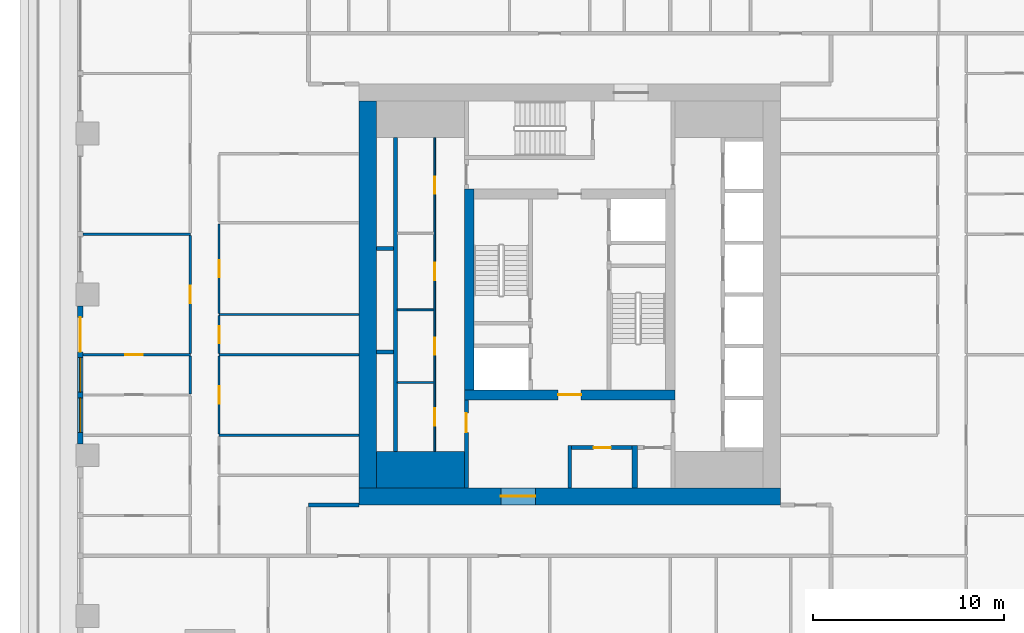
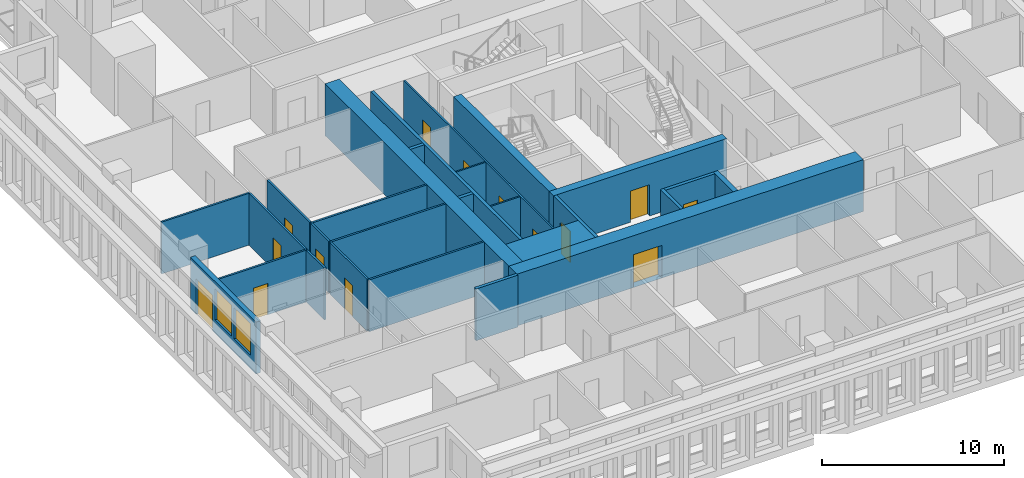
# One storey, part 3 of 15: 27 walls, 14 doors, 2 windows, 16 openings.
"""IFC4 building model written with IfcOpenShell, lengths in metres."""

from ifc_helpers import new_model, si_unit, direction, frame, frame_2d, origin, place, context, subcontext, project, spatial, rectangle, extrude, material, layer, layer_set, type_object, element, fill, save


model = new_model("IFC4")

# Units and contexts
model_context = context("Model", 3, precision=1e-05, world=origin(), true_north=direction((0.0, 1.0)))
body_context = subcontext(model_context, "Body", "Model", "MODEL_VIEW")
ifc_project = project(units=[si_unit("LENGTHUNIT", "METRE"), si_unit("AREAUNIT", "SQUARE_METRE"), si_unit("VOLUMEUNIT", "CUBIC_METRE"), si_unit("PLANEANGLEUNIT", "RADIAN"), si_unit("MASSUNIT", "GRAM", prefix="KILO")], contexts=[model_context])

# Site, building, storey
site_placement = place(None, origin())
site = spatial("IfcSite", under=ifc_project, at=site_placement, CompositionType="ELEMENT")
building_placement = place(site_placement, origin())
building = spatial("IfcBuilding", under=site, at=building_placement, Name="Khepri Terraces", CompositionType="ELEMENT")
storey_placement = place(building_placement, frame((0.0, 0.0, 165.0)))
storey = spatial("IfcBuildingStorey", under=building, at=storey_placement, Name="L39", CompositionType="ELEMENT", Elevation=165.0)

# Walls
ifc_material_1 = material(Name="Concrete C60/75", Category="concrete")
ifc_layer_1 = layer(ifc_material_1, 1.89990234375, Name="Concrete C60/75", Category="concrete")
ifc_layer_set_1 = layer_set([ifc_layer_1], Name="Concrete C60/75")
wall_type_1 = type_object("IfcWallType", Name="Core wall 1900 C60/75", PredefinedType="SHEAR", material=ifc_layer_set_1)
wall_1_placement = place(storey_placement, frame((-10.10009765625, -9.14990234375, 0.0), z_axis=(0.0, 0.0, 1.0), x_axis=(1.0, 0.0, 0.0)))
element("IfcWall", 1, at=wall_1_placement, inside=storey, type_object=wall_type_1, Name="Core wall PR01 L39", PredefinedType="SHEAR", context=body_context, shape_type="SweptSolid", body=[
    extrude(rectangle(XDim=4.60009765625, YDim=1.89990234375, at=frame_2d((2.300048828125, 0.0))), origin(), (0.0, 0.0, 1.0), 3.47998046875),
])
ifc_layer_2 = layer(ifc_material_1, 0.199951171875, Name="Concrete C60/75", Category="concrete")
ifc_layer_set_2 = layer_set([ifc_layer_2], Name="Concrete C60/75")
wall_type_2 = type_object("IfcWallType", Name="Core wall 200 C60/75", PredefinedType="SHEAR", material=ifc_layer_set_2)
wall_2_placement = place(storey_placement, frame((-9.10009765625, -8.199951171875, 0.0), z_axis=(0.0, 0.0, 1.0), x_axis=(0.0, 1.0, 0.0)))
element("IfcWall", 2, at=wall_2_placement, inside=storey, type_object=wall_type_2, Name="Core wall SH01 L39", PredefinedType="SHEAR", context=body_context, shape_type="SweptSolid", body=[
    extrude(rectangle(XDim=16.39990234375, YDim=0.199951171875, at=frame_2d((8.199951171875, 0.0))), origin(), (0.0, 0.0, 1.0), 3.47998046875),
])
for number, where, z_axis, x_axis, name in (
    (3, (-10.10009765625, -3.0, 0.0), (0.0, 0.0, 1.0), (1.0, 0.0, 0.0), "Core wall SH06 L39"),
    (4, (-10.10009765625, 2.39990234375, 0.0), (0.0, 0.0, 1.0), (1.0, 0.0, 0.0), "Core wall SH11 L39"),
):
    element("IfcWall", number, at=place(storey_placement, frame(where, z_axis=z_axis, x_axis=x_axis)), inside=storey, type_object=wall_type_2, Name=name, PredefinedType="SHEAR", context=body_context, shape_type="SweptSolid", body=[
        extrude(rectangle(XDim=0.900146484375, YDim=0.199951171875, at=frame_2d((0.4501953125, 0.0))), origin(), (0.0, 0.0, 1.0), 3.47998046875),
    ])

# Wall, opening, door
ifc_layer_3 = layer(ifc_material_1, 0.5, Name="Concrete C60/75", Category="concrete")
ifc_layer_set_3 = layer_set([ifc_layer_3], Name="Concrete C60/75")
wall_type_3 = type_object("IfcWallType", Name="Core wall 500 C60/75", PredefinedType="SHEAR", material=ifc_layer_set_3)
wall_3_placement = place(storey_placement, frame((-5.5, -5.25, 0.0), z_axis=(0.0, 0.0, 1.0), x_axis=(1.0, 0.0, 0.0)))
wall_3 = element("IfcWall", 5, at=wall_3_placement, inside=storey, type_object=wall_type_3, Name="Core wall BX01 L39", PredefinedType="SHEAR", context=body_context, shape_type="SweptSolid", body=[
    extrude(rectangle(XDim=11.0, YDim=0.5, at=frame_2d((5.5, 0.0))), origin(), (0.0, 0.0, 1.0), 3.47998046875),
])
opening_1_placement = place(wall_3_placement, frame((4.89990234375, 0.0, 0.0)))
opening_1 = element("IfcOpeningElement", 6, at=opening_1_placement, cuts=wall_3, Name="Opening L39-C14", PredefinedType="OPENING", context=body_context, shape_type="SweptSolid", body=[
    extrude(rectangle(XDim=1.199951171875, YDim=2.10009765625, at=frame_2d((0.60009765625, 1.050048828125))), frame((0.0, 0.260009765625, 0.0), z_axis=(0.0, -1.0, 0.0), x_axis=(1.0, 0.0, 0.0)), (0.0, 0.0, 1.0), 0.52001953125),
])
ifc_material_2 = material(Name="Painted steel", Category="steel")
door_type_1 = type_object("IfcDoorType", Name="DR-CORE-FF-LOBBY-1200", OperationType="NOTDEFINED", PredefinedType="DOOR", material=ifc_material_2)
door_1_placement = place(opening_1_placement, origin())
door_1 = element("IfcDoor", 7, at=door_1_placement, inside=storey, type_object=door_type_1, Name="Firefighting lobby door L39-C14", OperationType="SINGLE_SWING_RIGHT", OverallHeight=2.10009765625, OverallWidth=1.199951171875, PredefinedType="DOOR", context=body_context, shape_type="SweptSolid", body=[
    extrude(rectangle(XDim=1.199951171875, YDim=2.10009765625, at=frame_2d((0.60009765625, 1.050048828125))), frame((0.0, 0.02490234375, 0.0), z_axis=(0.0, -1.0, 0.0), x_axis=(1.0, 0.0, 0.0)), (0.0, 0.0, 1.0), 0.050048828125),
])
fill(opening_1, door_1)

# Wall
wall_4_placement = place(storey_placement, frame((-5.25, -5.0, 0.0), z_axis=(0.0, 0.0, 1.0), x_axis=(0.0, 1.0, 0.0)))
element("IfcWall", 8, at=wall_4_placement, inside=storey, type_object=wall_type_3, Name="Core wall BX02 L39", PredefinedType="SHEAR", context=body_context, shape_type="SweptSolid", body=[
    extrude(rectangle(XDim=10.5, YDim=0.5, at=frame_2d((5.25, 0.0))), origin(), (0.0, 0.0, 1.0), 3.47998046875),
])

# Wall, opening, door
ifc_layer_4 = layer(ifc_material_1, 0.89990234375, Name="Concrete C60/75", Category="concrete")
ifc_layer_set_4 = layer_set([ifc_layer_4], Name="Concrete C60/75")
wall_type_4 = type_object("IfcWallType", Name="Core wall 900 C60/75", PredefinedType="SHEAR", material=ifc_layer_set_4)
wall_5_placement = place(storey_placement, frame((-11.0, -10.550048828125, 0.0), z_axis=(0.0, 0.0, 1.0), x_axis=(1.0, 0.0, 0.0)))
wall_5 = element("IfcWall", 9, at=wall_5_placement, inside=storey, type_object=wall_type_4, Name="Core wall OW-S L39", PredefinedType="SHEAR", context=body_context, shape_type="SweptSolid", body=[
    extrude(rectangle(XDim=22.0, YDim=0.89990234375, at=frame_2d((11.0, 0.0))), origin(), (0.0, 0.0, 1.0), 3.47998046875),
])
opening_2_placement = place(wall_5_placement, frame((7.39990234375, 0.0, 0.0)))
opening_2 = element("IfcOpeningElement", 10, at=opening_2_placement, cuts=wall_5, Name="Opening L39-C21", PredefinedType="OPENING", context=body_context, shape_type="SweptSolid", body=[
    extrude(rectangle(XDim=1.800048828125, YDim=2.199951171875, at=frame_2d((0.89990234375, 1.10009765625))), frame((0.0, 0.4599609375, 0.0), z_axis=(0.0, -1.0, 0.0), x_axis=(1.0, 0.0, 0.0)), (0.0, 0.0, 1.0), 0.919921875),
])
door_type_2 = type_object("IfcDoorType", Name="DR-CORE-ENTRANCE-1800", OperationType="NOTDEFINED", PredefinedType="DOOR", material=ifc_material_2)
door_2_placement = place(opening_2_placement, frame((1.800048828125, 0.0, 0.0), z_axis=(0.0, 0.0, 1.0), x_axis=(-1.0, 0.0, 0.0)))
door_2 = element("IfcDoor", 11, at=door_2_placement, inside=storey, type_object=door_type_2, Name="Core entrance door pair L39-C21", OperationType="DOUBLE_DOOR_SINGLE_SWING", OverallHeight=2.199951171875, OverallWidth=1.800048828125, PredefinedType="DOOR", context=body_context, shape_type="SweptSolid", body=[
    extrude(rectangle(XDim=1.800048828125, YDim=2.199951171875, at=frame_2d((0.89990234375, 1.10009765625))), frame((0.0, 0.02490234375, 0.0), z_axis=(0.0, -1.0, 0.0), x_axis=(1.0, 0.0, 0.0)), (0.0, 0.0, 1.0), 0.050048828125),
])
fill(opening_2, door_2)

# Wall
wall_6_placement = place(storey_placement, frame((-10.550048828125, -10.10009765625, 0.0), z_axis=(0.0, 0.0, 1.0), x_axis=(0.0, 1.0, 0.0)))
element("IfcWall", 12, at=wall_6_placement, inside=storey, type_object=wall_type_4, Name="Core wall OW-W L39", PredefinedType="SHEAR", context=body_context, shape_type="SweptSolid", body=[
    extrude(rectangle(XDim=20.2001953125, YDim=0.89990234375, at=frame_2d((10.10009765625, 0.0))), origin(), (0.0, 0.0, 1.0), 3.47998046875),
])

# Wall, openings, doors
ifc_material_3 = material(Name="Fire-rated gypsum board partition")
ifc_layer_5 = layer(ifc_material_3, 0.10009765625, Name="Fire-rated gypsum board partition")
ifc_layer_set_5 = layer_set([ifc_layer_5], Name="Fire-rated gypsum board partition")
wall_type_5 = type_object("IfcWallType", Name="WL-CORE-PART-100", PredefinedType="PARTITIONING", material=ifc_layer_set_5)
wall_7_placement = place(storey_placement, frame((-7.050048828125, -8.199951171875, 0.0), z_axis=(0.0, 0.0, 1.0), x_axis=(0.0, 1.0, 0.0)))
wall_7 = element("IfcWall", 13, at=wall_7_placement, inside=storey, type_object=wall_type_5, Name="Core partition PT05 L39", PredefinedType="PARTITIONING", context=body_context, shape_type="SweptSolid", body=[
    extrude(rectangle(XDim=16.39990234375, YDim=0.10009765625, at=frame_2d((8.199951171875, 0.0))), origin(), (0.0, 0.0, 1.0), 3.47998046875),
])
opening_3_placement = place(wall_7_placement, frame((1.35009765625, 0.0, 0.0)))
opening_3 = element("IfcOpeningElement", 14, at=opening_3_placement, cuts=wall_7, Name="Opening L39-C24", PredefinedType="OPENING", context=body_context, shape_type="SweptSolid", body=[
    extrude(rectangle(XDim=0.89990234375, YDim=2.10009765625, at=frame_2d((0.449951171875, 1.050048828125))), frame((0.0, 0.06005859375, 0.0), z_axis=(0.0, -1.0, 0.0), x_axis=(1.0, 0.0, 0.0)), (0.0, 0.0, 1.0), 0.1201171875),
])
opening_4_placement = place(wall_7_placement, frame((5.050048828125, 0.0, 0.0)))
opening_4 = element("IfcOpeningElement", 15, at=opening_4_placement, cuts=wall_7, Name="Opening L39-C25", PredefinedType="OPENING", context=body_context, shape_type="SweptSolid", body=[
    extrude(rectangle(XDim=0.89990234375, YDim=2.10009765625, at=frame_2d((0.449951171875, 1.050048828125))), frame((0.0, 0.06005859375, 0.0), z_axis=(0.0, -1.0, 0.0), x_axis=(1.0, 0.0, 0.0)), (0.0, 0.0, 1.0), 0.1201171875),
])
opening_5_placement = place(wall_7_placement, frame((8.949951171875, 0.0, 0.0)))
opening_5 = element("IfcOpeningElement", 16, at=opening_5_placement, cuts=wall_7, Name="Opening L39-C26", PredefinedType="OPENING", context=body_context, shape_type="SweptSolid", body=[
    extrude(rectangle(XDim=0.89990234375, YDim=2.10009765625, at=frame_2d((0.449951171875, 1.050048828125))), frame((0.0, 0.06005859375, 0.0), z_axis=(0.0, -1.0, 0.0), x_axis=(1.0, 0.0, 0.0)), (0.0, 0.0, 1.0), 0.1201171875),
])
opening_6_placement = place(wall_7_placement, frame((13.449951171875, 0.0, 0.0)))
opening_6 = element("IfcOpeningElement", 17, at=opening_6_placement, cuts=wall_7, Name="Opening L39-C27", PredefinedType="OPENING", context=body_context, shape_type="SweptSolid", body=[
    extrude(rectangle(XDim=0.89990234375, YDim=2.10009765625, at=frame_2d((0.449951171875, 1.050048828125))), frame((0.0, 0.06005859375, 0.0), z_axis=(0.0, -1.0, 0.0), x_axis=(1.0, 0.0, 0.0)), (0.0, 0.0, 1.0), 0.1201171875),
])
door_type_3 = type_object("IfcDoorType", Name="DR-CORE-SERVICE-900", OperationType="NOTDEFINED", PredefinedType="DOOR", material=ifc_material_2)
door_3_placement = place(opening_3_placement, origin())
door_3 = element("IfcDoor", 18, at=door_3_placement, inside=storey, type_object=door_type_3, Name="Service room door L39-C24", OperationType="SINGLE_SWING_LEFT", OverallHeight=2.10009765625, OverallWidth=0.89990234375, PredefinedType="DOOR", context=body_context, shape_type="SweptSolid", body=[
    extrude(rectangle(XDim=0.89990234375, YDim=2.10009765625, at=frame_2d((0.449951171875, 1.050048828125))), frame((0.0, 0.02490234375, 0.0), z_axis=(0.0, -1.0, 0.0), x_axis=(1.0, 0.0, 0.0)), (0.0, 0.0, 1.0), 0.050048828125),
])
fill(opening_3, door_3)
door_4_placement = place(opening_4_placement, origin())
door_4 = element("IfcDoor", 19, at=door_4_placement, inside=storey, type_object=door_type_3, Name="Service room door L39-C25", OperationType="SINGLE_SWING_LEFT", OverallHeight=2.10009765625, OverallWidth=0.89990234375, PredefinedType="DOOR", context=body_context, shape_type="SweptSolid", body=[
    extrude(rectangle(XDim=0.89990234375, YDim=2.10009765625, at=frame_2d((0.449951171875, 1.050048828125))), frame((0.0, 0.02490234375, 0.0), z_axis=(0.0, -1.0, 0.0), x_axis=(1.0, 0.0, 0.0)), (0.0, 0.0, 1.0), 0.050048828125),
])
fill(opening_4, door_4)
door_5_placement = place(opening_5_placement, origin())
door_5 = element("IfcDoor", 20, at=door_5_placement, inside=storey, type_object=door_type_3, Name="Service room door L39-C26", OperationType="SINGLE_SWING_RIGHT", OverallHeight=2.10009765625, OverallWidth=0.89990234375, PredefinedType="DOOR", context=body_context, shape_type="SweptSolid", body=[
    extrude(rectangle(XDim=0.89990234375, YDim=2.10009765625, at=frame_2d((0.449951171875, 1.050048828125))), frame((0.0, 0.02490234375, 0.0), z_axis=(0.0, -1.0, 0.0), x_axis=(1.0, 0.0, 0.0)), (0.0, 0.0, 1.0), 0.050048828125),
])
fill(opening_5, door_5)
door_6_placement = place(opening_6_placement, origin())
door_6 = element("IfcDoor", 21, at=door_6_placement, inside=storey, type_object=door_type_3, Name="Service room door L39-C27", OperationType="SINGLE_SWING_RIGHT", OverallHeight=2.10009765625, OverallWidth=0.89990234375, PredefinedType="DOOR", context=body_context, shape_type="SweptSolid", body=[
    extrude(rectangle(XDim=0.89990234375, YDim=2.10009765625, at=frame_2d((0.449951171875, 1.050048828125))), frame((0.0, 0.02490234375, 0.0), z_axis=(0.0, -1.0, 0.0), x_axis=(1.0, 0.0, 0.0)), (0.0, 0.0, 1.0), 0.050048828125),
])
fill(opening_6, door_6)

# Walls
for number, where, z_axis, x_axis, name in (
    (22, (-9.0, -4.60009765625, 0.0), (0.0, 0.0, 1.0), (1.0, 0.0, 0.0), "Core partition PT08 L39"),
    (23, (-9.0, -0.800048828125, 0.0), (0.0, 0.0, 1.0), (1.0, 0.0, 0.0), "Core partition PT09 L39"),
):
    element("IfcWall", number, at=place(storey_placement, frame(where, z_axis=z_axis, x_axis=x_axis)), inside=storey, type_object=wall_type_5, Name=name, PredefinedType="PARTITIONING", context=body_context, shape_type="SweptSolid", body=[
        extrude(rectangle(XDim=1.89990234375, YDim=0.10009765625, at=frame_2d((0.949951171875, 0.0))), origin(), (0.0, 0.0, 1.0), 3.47998046875),
    ])

# Wall, opening, door
ifc_layer_6 = layer(ifc_material_3, 0.199951171875, Name="Fire-rated gypsum board partition")
ifc_layer_set_6 = layer_set([ifc_layer_6], Name="Fire-rated gypsum board partition")
wall_type_6 = type_object("IfcWallType", Name="WL-CORE-PART-200", PredefinedType="PARTITIONING", material=ifc_layer_set_6)
wall_8_placement = place(storey_placement, frame((-5.39990234375, -10.10009765625, 0.0), z_axis=(0.0, 0.0, 1.0), x_axis=(0.0, 1.0, 0.0)))
wall_8 = element("IfcWall", 24, at=wall_8_placement, inside=storey, type_object=wall_type_6, Name="Core partition PT01 L39", PredefinedType="PARTITIONING", context=body_context, shape_type="SweptSolid", body=[
    extrude(rectangle(XDim=4.60009765625, YDim=0.199951171875, at=frame_2d((2.300048828125, 0.0))), origin(), (0.0, 0.0, 1.0), 3.47998046875),
])
opening_7_placement = place(wall_8_placement, frame((2.89990234375, 0.0, 0.0)))
opening_7 = element("IfcOpeningElement", 25, at=opening_7_placement, cuts=wall_8, Name="Opening L39-C18", PredefinedType="OPENING", context=body_context, shape_type="SweptSolid", body=[
    extrude(rectangle(XDim=1.0, YDim=2.10009765625, at=frame_2d((0.5, 1.050048828125))), frame((0.0, 0.10986328125, 0.0), z_axis=(0.0, -1.0, 0.0), x_axis=(1.0, 0.0, 0.0)), (0.0, 0.0, 1.0), 0.219970703125),
])
door_type_4 = type_object("IfcDoorType", Name="DR-CORE-LOBBY-1000", OperationType="NOTDEFINED", PredefinedType="DOOR", material=ifc_material_2)
door_7_placement = place(opening_7_placement, frame((1.0, 0.0, 0.0), z_axis=(0.0, 0.0, 1.0), x_axis=(-1.0, 0.0, 0.0)))
door_7 = element("IfcDoor", 26, at=door_7_placement, inside=storey, type_object=door_type_4, Name="Lobby door L39-C18", OperationType="SINGLE_SWING_LEFT", OverallHeight=2.10009765625, OverallWidth=1.0, PredefinedType="DOOR", context=body_context, shape_type="SweptSolid", body=[
    extrude(rectangle(XDim=1.0, YDim=2.10009765625, at=frame_2d((0.5, 1.050048828125))), frame((0.0, 0.02490234375, 0.0), z_axis=(0.0, -1.0, 0.0), x_axis=(1.0, 0.0, 0.0)), (0.0, 0.0, 1.0), 0.050048828125),
])
fill(opening_7, door_7)

# Wall
wall_9_placement = place(storey_placement, frame((0.0, -10.10009765625, 0.0), z_axis=(0.0, 0.0, 1.0), x_axis=(0.0, 1.0, 0.0)))
element("IfcWall", 27, at=wall_9_placement, inside=storey, type_object=wall_type_6, Name="Core partition PT02 L39", PredefinedType="PARTITIONING", context=body_context, shape_type="SweptSolid", body=[
    extrude(rectangle(XDim=2.2001953125, YDim=0.199951171875, at=frame_2d((1.10009765625, 0.0))), origin(), (0.0, 0.0, 1.0), 3.47998046875),
])

# Wall, opening, door
wall_10_placement = place(storey_placement, frame((0.10009765625, -8.0, 0.0), z_axis=(0.0, 0.0, 1.0), x_axis=(1.0, 0.0, 0.0)))
wall_10 = element("IfcWall", 28, at=wall_10_placement, inside=storey, type_object=wall_type_6, Name="Core partition PT06 L39", PredefinedType="PARTITIONING", context=body_context, shape_type="SweptSolid", body=[
    extrude(rectangle(XDim=3.14990234375, YDim=0.199951171875, at=frame_2d((1.574951171875, 0.0))), origin(), (0.0, 0.0, 1.0), 3.47998046875),
])
opening_8_placement = place(wall_10_placement, frame((1.14990234375, 0.0, 0.0)))
opening_8 = element("IfcOpeningElement", 29, at=opening_8_placement, cuts=wall_10, Name="Opening L39-C22", PredefinedType="OPENING", context=body_context, shape_type="SweptSolid", body=[
    extrude(rectangle(XDim=0.89990234375, YDim=2.10009765625, at=frame_2d((0.449951171875, 1.050048828125))), frame((0.0, 0.10986328125, 0.0), z_axis=(0.0, -1.0, 0.0), x_axis=(1.0, 0.0, 0.0)), (0.0, 0.0, 1.0), 0.219970703125),
])
door_8_placement = place(opening_8_placement, frame((0.89990234375, 0.0, 0.0), z_axis=(0.0, 0.0, 1.0), x_axis=(-1.0, 0.0, 0.0)))
door_8 = element("IfcDoor", 30, at=door_8_placement, inside=storey, type_object=door_type_3, Name="Service room door L39-C22", OperationType="SINGLE_SWING_LEFT", OverallHeight=2.10009765625, OverallWidth=0.89990234375, PredefinedType="DOOR", context=body_context, shape_type="SweptSolid", body=[
    extrude(rectangle(XDim=0.89990234375, YDim=2.10009765625, at=frame_2d((0.449951171875, 1.050048828125))), frame((0.0, 0.02490234375, 0.0), z_axis=(0.0, -1.0, 0.0), x_axis=(1.0, 0.0, 0.0)), (0.0, 0.0, 1.0), 0.050048828125),
])
fill(opening_8, door_8)

# Walls
ifc_layer_7 = layer(ifc_material_3, 0.300048828125, Name="Fire-rated gypsum board partition")
ifc_layer_set_7 = layer_set([ifc_layer_7], Name="Fire-rated gypsum board partition")
wall_type_7 = type_object("IfcWallType", Name="WL-CORE-PART-300", PredefinedType="PARTITIONING", material=ifc_layer_set_7)
wall_11_placement = place(storey_placement, frame((3.39990234375, -10.10009765625, 0.0), z_axis=(0.0, 0.0, 1.0), x_axis=(0.0, 1.0, 0.0)))
element("IfcWall", 31, at=wall_11_placement, inside=storey, type_object=wall_type_7, Name="Core partition PT03 L39", PredefinedType="PARTITIONING", context=body_context, shape_type="SweptSolid", body=[
    extrude(rectangle(XDim=2.2001953125, YDim=0.300048828125, at=frame_2d((1.10009765625, 0.0))), origin(), (0.0, 0.0, 1.0), 3.47998046875),
])
ifc_material_4 = material(Name="Fire-rated gypsum plasterboard partition, mineral wool")
ifc_layer_8 = layer(ifc_material_4, 0.199951171875, Name="Fire-rated gypsum plasterboard partition, mineral wool")
ifc_layer_set_8 = layer_set([ifc_layer_8], Name="Fire-rated gypsum plasterboard partition, mineral wool")
wall_type_8 = type_object("IfcWallType", Name="WL-CORR-200", PredefinedType="PARTITIONING", material=ifc_layer_set_8)
wall_12_placement = place(storey_placement, frame((-13.64990234375, -11.0, 0.0), z_axis=(0.0, 0.0, 1.0), x_axis=(1.0, 0.0, 0.0)))
element("IfcWall", 32, at=wall_12_placement, inside=storey, type_object=wall_type_8, Name="Partition P-034 L39", PredefinedType="PARTITIONING", context=body_context, shape_type="SweptSolid", body=[
    extrude(rectangle(XDim=2.64990234375, YDim=0.199951171875, at=frame_2d((1.324951171875, 0.0))), origin(), (0.0, 0.0, 1.0), 3.47998046875),
])

# Wall, openings, door, windows
ifc_material_5 = material(Name="Precast concrete C50/60 warm stone", Category="masonry")
ifc_layer_9 = layer(ifc_material_5, 0.300048828125, Name="Precast concrete C50/60 warm stone", Category="masonry")
ifc_layer_set_9 = layer_set([ifc_layer_9], Name="Precast concrete C50/60 warm stone")
wall_type_9 = type_object("IfcWallType", Name="WL-EXT-PRECAST-300", PredefinedType="STANDARD", material=ifc_layer_set_9)
wall_13_placement = place(storey_placement, frame((-25.570068359375, -0.60009765625, 0.0), z_axis=(0.0, 0.0, 1.0), x_axis=(0.0, -1.0, 0.0)))
wall_13 = element("IfcWall", 33, at=wall_13_placement, inside=storey, type_object=wall_type_9, Name="External wall L39 W", PredefinedType="STANDARD", context=body_context, shape_type="SweptSolid", body=[
    extrude(rectangle(XDim=7.199951171875, YDim=0.300048828125, at=frame_2d((3.60009765625, 0.0))), origin(), (0.0, 0.0, 1.0), 3.47998046875),
])
opening_9_placement = place(wall_13_placement, frame((0.60009765625, 0.0, 0.0)))
opening_9 = element("IfcOpeningElement", 34, at=opening_9_placement, cuts=wall_13, Name="Opening ED-L39-18", PredefinedType="OPENING", context=body_context, shape_type="SweptSolid", body=[
    extrude(rectangle(XDim=1.800048828125, YDim=2.39990234375, at=frame_2d((0.89990234375, 1.199951171875))), frame((0.0, 0.16015625, 0.0), z_axis=(0.0, -1.0, 0.0), x_axis=(1.0, 0.0, 0.0)), (0.0, 0.0, 1.0), 0.320068359375),
])
opening_10_placement = place(wall_13_placement, frame((2.699951171875, 0.0, 0.89990234375)))
opening_10 = element("IfcOpeningElement", 35, at=opening_10_placement, cuts=wall_13, Name="Opening W1", PredefinedType="OPENING", context=body_context, shape_type="SweptSolid", body=[
    extrude(rectangle(XDim=1.800048828125, YDim=2.10009765625, at=frame_2d((0.89990234375, 1.050048828125))), frame((0.0, 0.16015625, 0.0), z_axis=(0.0, -1.0, 0.0), x_axis=(1.0, 0.0, 0.0)), (0.0, 0.0, 1.0), 0.320068359375),
])
opening_11_placement = place(wall_13_placement, frame((4.800048828125, 0.0, 0.89990234375)))
opening_11 = element("IfcOpeningElement", 36, at=opening_11_placement, cuts=wall_13, Name="Opening W1", PredefinedType="OPENING", context=body_context, shape_type="SweptSolid", body=[
    extrude(rectangle(XDim=1.800048828125, YDim=2.10009765625, at=frame_2d((0.89990234375, 1.050048828125))), frame((0.0, 0.16015625, 0.0), z_axis=(0.0, -1.0, 0.0), x_axis=(1.0, 0.0, 0.0)), (0.0, 0.0, 1.0), 0.320068359375),
])
ifc_material_6 = material(Name="Anodised aluminium bronze glazed door", Category="aluminium")
door_type_5 = type_object("IfcDoorType", Name="DR-BAL-SLIDE-1800x2400", OperationType="NOTDEFINED", PredefinedType="DOOR", material=ifc_material_6)
door_9_placement = place(opening_9_placement, origin())
door_9 = element("IfcDoor", 37, at=door_9_placement, inside=storey, type_object=door_type_5, Name="Balcony door L39 W", OperationType="SLIDING_TO_LEFT", OverallHeight=2.39990234375, OverallWidth=1.800048828125, PredefinedType="DOOR", context=body_context, shape_type="SweptSolid", body=[
    extrude(rectangle(XDim=1.800048828125, YDim=2.39990234375, at=frame_2d((0.89990234375, 1.199951171875))), frame((0.0, 0.02490234375, 0.0), z_axis=(0.0, -1.0, 0.0), x_axis=(1.0, 0.0, 0.0)), (0.0, 0.0, 1.0), 0.050048828125),
])
fill(opening_9, door_9)
ifc_material_7 = material(Name="Clear glass", Category="glass")
window_type = type_object("IfcWindowType", Name="WIN-RES-1800x2100", PartitioningType="SINGLE_PANEL", PredefinedType="WINDOW", material=ifc_material_7)
window_1_placement = place(opening_10_placement, origin())
window_1 = element("IfcWindow", 38, at=window_1_placement, inside=storey, type_object=window_type, Name="Window L39 W", OverallHeight=2.10009765625, OverallWidth=1.800048828125, PartitioningType="SINGLE_PANEL", PredefinedType="WINDOW", context=body_context, shape_type="SweptSolid", body=[
    extrude(rectangle(XDim=1.800048828125, YDim=2.10009765625, at=frame_2d((0.89990234375, 1.050048828125))), frame((0.0, 0.030029296875, 0.0), z_axis=(0.0, -1.0, 0.0), x_axis=(1.0, 0.0, 0.0)), (0.0, 0.0, 1.0), 0.06005859375),
])
fill(opening_10, window_1)
window_2_placement = place(opening_11_placement, origin())
window_2 = element("IfcWindow", 39, at=window_2_placement, inside=storey, type_object=window_type, Name="Window L39 W", OverallHeight=2.10009765625, OverallWidth=1.800048828125, PartitioningType="SINGLE_PANEL", PredefinedType="WINDOW", context=body_context, shape_type="SweptSolid", body=[
    extrude(rectangle(XDim=1.800048828125, YDim=2.10009765625, at=frame_2d((0.89990234375, 1.050048828125))), frame((0.0, 0.030029296875, 0.0), z_axis=(0.0, -1.0, 0.0), x_axis=(1.0, 0.0, 0.0)), (0.0, 0.0, 1.0), 0.06005859375),
])
fill(opening_11, window_2)

# Wall
ifc_material_8 = material(Name="Gypsum plasterboard partition")
ifc_layer_10 = layer(ifc_material_8, 0.1201171875, Name="Gypsum plasterboard partition")
ifc_layer_set_10 = layer_set([ifc_layer_10], Name="Gypsum plasterboard partition")
wall_type_10 = type_object("IfcWallType", Name="WL-PART-120", PredefinedType="PARTITIONING", material=ifc_layer_set_10)
wall_14_placement = place(storey_placement, frame((-18.320068359375, -7.35009765625, 0.0), z_axis=(0.0, 0.0, 1.0), x_axis=(1.0, 0.0, 0.0)))
element("IfcWall", 40, at=wall_14_placement, inside=storey, type_object=wall_type_10, Name="Partition P-039 L39", PredefinedType="PARTITIONING", context=body_context, shape_type="SweptSolid", body=[
    extrude(rectangle(XDim=7.320068359375, YDim=0.1201171875, at=frame_2d((3.66015625, 0.0))), origin(), (0.0, 0.0, 1.0), 3.47998046875),
])

# Wall, opening, door
wall_15_placement = place(storey_placement, frame((-18.320068359375, -7.2900390625, 0.0), z_axis=(0.0, 0.0, 1.0), x_axis=(0.0, 1.0, 0.0)))
wall_15 = element("IfcWall", 41, at=wall_15_placement, inside=storey, type_object=wall_type_10, Name="Partition P-042 L39", PredefinedType="PARTITIONING", context=body_context, shape_type="SweptSolid", body=[
    extrude(rectangle(XDim=4.080078125, YDim=0.1201171875, at=frame_2d((2.0400390625, 0.0))), origin(), (0.0, 0.0, 1.0), 3.47998046875),
])
opening_12_placement = place(wall_15_placement, frame((1.590087890625, 0.0, 0.0)))
opening_12 = element("IfcOpeningElement", 42, at=opening_12_placement, cuts=wall_15, Name="Opening D3", PredefinedType="OPENING", context=body_context, shape_type="SweptSolid", body=[
    extrude(rectangle(XDim=0.89990234375, YDim=2.10009765625, at=frame_2d((0.449951171875, 1.050048828125))), frame((0.0, 0.070068359375, 0.0), z_axis=(0.0, -1.0, 0.0), x_axis=(1.0, 0.0, 0.0)), (0.0, 0.0, 1.0), 0.14013671875),
])
ifc_material_9 = material(Name="Timber door leaf", Category="wood")
door_type_6 = type_object("IfcDoorType", Name="DR-INT-900", OperationType="NOTDEFINED", PredefinedType="DOOR", material=ifc_material_9)
door_10_placement = place(opening_12_placement, frame((0.89990234375, 0.0, 0.0), z_axis=(0.0, 0.0, 1.0), x_axis=(-1.0, 0.0, 0.0)))
door_10 = element("IfcDoor", 43, at=door_10_placement, inside=storey, type_object=door_type_6, Name="Door Staff Bedroom", OperationType="SINGLE_SWING_LEFT", OverallHeight=2.10009765625, OverallWidth=0.89990234375, PredefinedType="DOOR", context=body_context, shape_type="SweptSolid", body=[
    extrude(rectangle(XDim=0.89990234375, YDim=2.10009765625, at=frame_2d((0.449951171875, 1.050048828125))), frame((0.0, 0.02490234375, 0.0), z_axis=(0.0, -1.0, 0.0), x_axis=(1.0, 0.0, 0.0)), (0.0, 0.0, 1.0), 0.050048828125),
])
fill(opening_12, door_10)

# Wall
wall_16_placement = place(storey_placement, frame((-19.820068359375, -5.18994140625, 0.0), z_axis=(0.0, 0.0, 1.0), x_axis=(0.0, 1.0, 0.0)))
element("IfcWall", 44, at=wall_16_placement, inside=storey, type_object=wall_type_10, Name="Partition P-045 L39", PredefinedType="PARTITIONING", context=body_context, shape_type="SweptSolid", body=[
    extrude(rectangle(XDim=1.97998046875, YDim=0.1201171875, at=frame_2d((0.989990234375, 0.0))), origin(), (0.0, 0.0, 1.0), 3.47998046875),
])

# Wall, opening, door
wall_17_placement = place(storey_placement, frame((-25.419921875, -3.14990234375, 0.0), z_axis=(0.0, 0.0, 1.0), x_axis=(1.0, 0.0, 0.0)))
wall_17 = element("IfcWall", 45, at=wall_17_placement, inside=storey, type_object=wall_type_10, Name="Partition P-046 L39", PredefinedType="PARTITIONING", context=body_context, shape_type="SweptSolid", body=[
    extrude(rectangle(XDim=5.599853515625, YDim=0.1201171875, at=frame_2d((2.7998046875, 0.0))), origin(), (0.0, 0.0, 1.0), 3.47998046875),
])
opening_13_placement = place(wall_17_placement, frame((2.199951171875, 0.0, 0.0)))
opening_13 = element("IfcOpeningElement", 46, at=opening_13_placement, cuts=wall_17, Name="Opening D3", PredefinedType="OPENING", context=body_context, shape_type="SweptSolid", body=[
    extrude(rectangle(XDim=0.89990234375, YDim=2.10009765625, at=frame_2d((0.449951171875, 1.050048828125))), frame((0.0, 0.070068359375, 0.0), z_axis=(0.0, -1.0, 0.0), x_axis=(1.0, 0.0, 0.0)), (0.0, 0.0, 1.0), 0.14013671875),
])
door_11_placement = place(opening_13_placement, frame((0.89990234375, 0.0, 0.0), z_axis=(0.0, 0.0, 1.0), x_axis=(-1.0, 0.0, 0.0)))
door_11 = element("IfcDoor", 47, at=door_11_placement, inside=storey, type_object=door_type_6, Name="Door Dressing Room", OperationType="SINGLE_SWING_RIGHT", OverallHeight=2.10009765625, OverallWidth=0.89990234375, PredefinedType="DOOR", context=body_context, shape_type="SweptSolid", body=[
    extrude(rectangle(XDim=0.89990234375, YDim=2.10009765625, at=frame_2d((0.449951171875, 1.050048828125))), frame((0.0, 0.02490234375, 0.0), z_axis=(0.0, -1.0, 0.0), x_axis=(1.0, 0.0, 0.0)), (0.0, 0.0, 1.0), 0.050048828125),
])
fill(opening_13, door_11)

# Wall
wall_18_placement = place(storey_placement, frame((-18.320068359375, -3.14990234375, 0.0), z_axis=(0.0, 0.0, 1.0), x_axis=(1.0, 0.0, 0.0)))
element("IfcWall", 48, at=wall_18_placement, inside=storey, type_object=wall_type_10, Name="Partition P-047 L39", PredefinedType="PARTITIONING", context=body_context, shape_type="SweptSolid", body=[
    extrude(rectangle(XDim=7.320068359375, YDim=0.1201171875, at=frame_2d((3.66015625, 0.0))), origin(), (0.0, 0.0, 1.0), 3.47998046875),
])

# Wall, opening, door
wall_19_placement = place(storey_placement, frame((-19.820068359375, -3.090087890625, 0.0), z_axis=(0.0, 0.0, 1.0), x_axis=(0.0, 1.0, 0.0)))
wall_19 = element("IfcWall", 49, at=wall_19_placement, inside=storey, type_object=wall_type_10, Name="Partition P-050 L39", PredefinedType="PARTITIONING", context=body_context, shape_type="SweptSolid", body=[
    extrude(rectangle(XDim=6.18017578125, YDim=0.1201171875, at=frame_2d((3.090087890625, 0.0))), origin(), (0.0, 0.0, 1.0), 3.47998046875),
])
opening_14_placement = place(wall_19_placement, frame((2.639892578125, 0.0, 0.0)))
opening_14 = element("IfcOpeningElement", 50, at=opening_14_placement, cuts=wall_19, Name="Opening D3", PredefinedType="OPENING", context=body_context, shape_type="SweptSolid", body=[
    extrude(rectangle(XDim=0.89990234375, YDim=2.10009765625, at=frame_2d((0.449951171875, 1.050048828125))), frame((0.0, 0.070068359375, 0.0), z_axis=(0.0, -1.0, 0.0), x_axis=(1.0, 0.0, 0.0)), (0.0, 0.0, 1.0), 0.14013671875),
])
door_12_placement = place(opening_14_placement, origin())
door_12 = element("IfcDoor", 51, at=door_12_placement, inside=storey, type_object=door_type_6, Name="Door Master Bedroom", OperationType="SINGLE_SWING_RIGHT", OverallHeight=2.10009765625, OverallWidth=0.89990234375, PredefinedType="DOOR", context=body_context, shape_type="SweptSolid", body=[
    extrude(rectangle(XDim=0.89990234375, YDim=2.10009765625, at=frame_2d((0.449951171875, 1.050048828125))), frame((0.0, 0.02490234375, 0.0), z_axis=(0.0, -1.0, 0.0), x_axis=(1.0, 0.0, 0.0)), (0.0, 0.0, 1.0), 0.050048828125),
])
fill(opening_14, door_12)

wall_20_placement = place(storey_placement, frame((-18.320068359375, -3.090087890625, 0.0), z_axis=(0.0, 0.0, 1.0), x_axis=(0.0, 1.0, 0.0)))
wall_20 = element("IfcWall", 52, at=wall_20_placement, inside=storey, type_object=wall_type_10, Name="Partition P-051 L39", PredefinedType="PARTITIONING", context=body_context, shape_type="SweptSolid", body=[
    extrude(rectangle(XDim=1.97998046875, YDim=0.1201171875, at=frame_2d((0.989990234375, 0.0))), origin(), (0.0, 0.0, 1.0), 3.47998046875),
])
opening_15_placement = place(wall_20_placement, frame((0.5400390625, 0.0, 0.0)))
opening_15 = element("IfcOpeningElement", 53, at=opening_15_placement, cuts=wall_20, Name="Opening D4", PredefinedType="OPENING", context=body_context, shape_type="SweptSolid", body=[
    extrude(rectangle(XDim=0.89990234375, YDim=2.10009765625, at=frame_2d((0.449951171875, 1.050048828125))), frame((0.0, 0.070068359375, 0.0), z_axis=(0.0, -1.0, 0.0), x_axis=(1.0, 0.0, 0.0)), (0.0, 0.0, 1.0), 0.14013671875),
])
ifc_material_10 = material(Name="Timber door leaf, moisture resistant", Category="wood")
door_type_7 = type_object("IfcDoorType", Name="DR-WET-900", OperationType="NOTDEFINED", PredefinedType="DOOR", material=ifc_material_10)
door_13_placement = place(opening_15_placement, frame((0.89990234375, 0.0, 0.0), z_axis=(0.0, 0.0, 1.0), x_axis=(-1.0, 0.0, 0.0)))
door_13 = element("IfcDoor", 54, at=door_13_placement, inside=storey, type_object=door_type_7, Name="Door Powder Room", OperationType="SINGLE_SWING_RIGHT", OverallHeight=2.10009765625, OverallWidth=0.89990234375, PredefinedType="DOOR", context=body_context, shape_type="SweptSolid", body=[
    extrude(rectangle(XDim=0.89990234375, YDim=2.10009765625, at=frame_2d((0.449951171875, 1.050048828125))), frame((0.0, 0.02490234375, 0.0), z_axis=(0.0, -1.0, 0.0), x_axis=(1.0, 0.0, 0.0)), (0.0, 0.0, 1.0), 0.050048828125),
])
fill(opening_15, door_13)

# Wall
wall_21_placement = place(storey_placement, frame((-18.320068359375, -1.050048828125, 0.0), z_axis=(0.0, 0.0, 1.0), x_axis=(1.0, 0.0, 0.0)))
element("IfcWall", 55, at=wall_21_placement, inside=storey, type_object=wall_type_10, Name="Partition P-054 L39", PredefinedType="PARTITIONING", context=body_context, shape_type="SweptSolid", body=[
    extrude(rectangle(XDim=7.320068359375, YDim=0.1201171875, at=frame_2d((3.66015625, 0.0))), origin(), (0.0, 0.0, 1.0), 3.47998046875),
])

# Wall, opening, door
wall_22_placement = place(storey_placement, frame((-18.320068359375, -0.989990234375, 0.0), z_axis=(0.0, 0.0, 1.0), x_axis=(0.0, 1.0, 0.0)))
wall_22 = element("IfcWall", 56, at=wall_22_placement, inside=storey, type_object=wall_type_10, Name="Partition P-055 L39", PredefinedType="PARTITIONING", context=body_context, shape_type="SweptSolid", body=[
    extrude(rectangle(XDim=4.679931640625, YDim=0.1201171875, at=frame_2d((2.33984375, 0.0))), origin(), (0.0, 0.0, 1.0), 3.47998046875),
])
opening_16_placement = place(wall_22_placement, frame((1.889892578125, 0.0, 0.0)))
opening_16 = element("IfcOpeningElement", 57, at=opening_16_placement, cuts=wall_22, Name="Opening D3", PredefinedType="OPENING", context=body_context, shape_type="SweptSolid", body=[
    extrude(rectangle(XDim=0.89990234375, YDim=2.10009765625, at=frame_2d((0.449951171875, 1.050048828125))), frame((0.0, 0.070068359375, 0.0), z_axis=(0.0, -1.0, 0.0), x_axis=(1.0, 0.0, 0.0)), (0.0, 0.0, 1.0), 0.14013671875),
])
door_14_placement = place(opening_16_placement, frame((0.89990234375, 0.0, 0.0), z_axis=(0.0, 0.0, 1.0), x_axis=(-1.0, 0.0, 0.0)))
door_14 = element("IfcDoor", 58, at=door_14_placement, inside=storey, type_object=door_type_6, Name="Door Utility Room", OperationType="SINGLE_SWING_LEFT", OverallHeight=2.10009765625, OverallWidth=0.89990234375, PredefinedType="DOOR", context=body_context, shape_type="SweptSolid", body=[
    extrude(rectangle(XDim=0.89990234375, YDim=2.10009765625, at=frame_2d((0.449951171875, 1.050048828125))), frame((0.0, 0.02490234375, 0.0), z_axis=(0.0, -1.0, 0.0), x_axis=(1.0, 0.0, 0.0)), (0.0, 0.0, 1.0), 0.050048828125),
])
fill(opening_16, door_14)

# Wall
wall_23_placement = place(storey_placement, frame((-25.419921875, 3.14990234375, 0.0), z_axis=(0.0, 0.0, 1.0), x_axis=(1.0, 0.0, 0.0)))
element("IfcWall", 59, at=wall_23_placement, inside=storey, type_object=wall_type_10, Name="Partition P-060 L39", PredefinedType="PARTITIONING", context=body_context, shape_type="SweptSolid", body=[
    extrude(rectangle(XDim=5.599853515625, YDim=0.1201171875, at=frame_2d((2.7998046875, 0.0))), origin(), (0.0, 0.0, 1.0), 3.47998046875),
])

save(model, "model.ifc")
